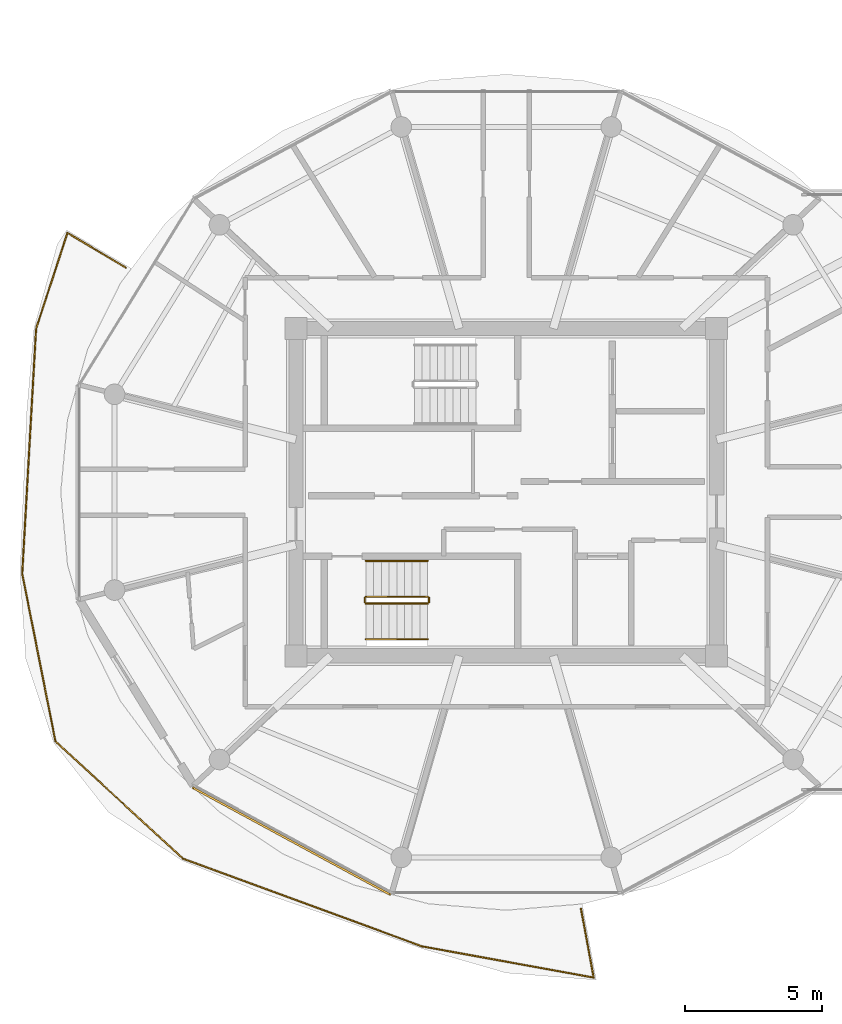
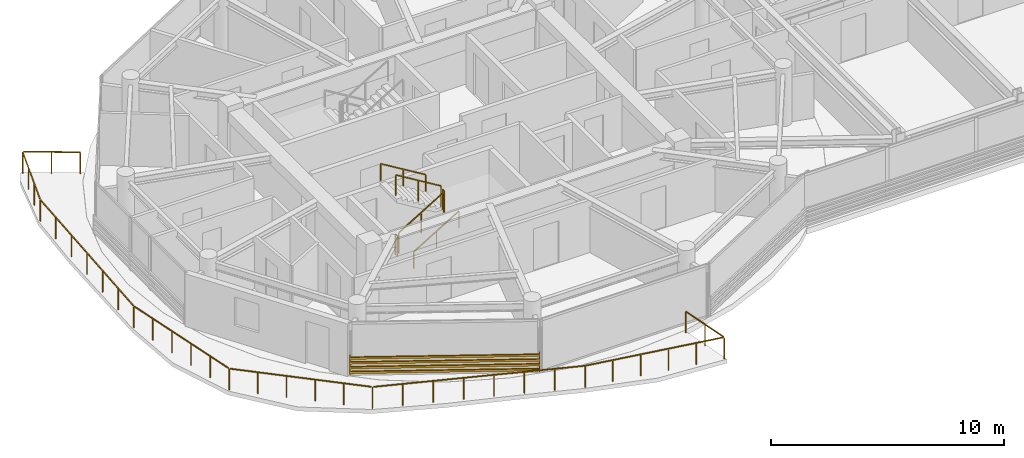
# One storey, part 20 of 23: 8 railings, 1 shading device.
"""IFC4 building model written with IfcOpenShell, lengths in metres."""

from ifc_helpers import new_model, si_unit, direction, frame, origin, origin_2d, place, context, subcontext, project, spatial, rectangle, extrude, source, transform, mapped, material, type_object, type_shapes, element, save


model = new_model("IFC4")

# Units and contexts
model_context = context("Model", 3, precision=1e-05, world=origin(), true_north=direction((0.0, 1.0)))
body_context = subcontext(model_context, "Body", "Model", "MODEL_VIEW")
ifc_project = project(units=[si_unit("LENGTHUNIT", "METRE"), si_unit("AREAUNIT", "SQUARE_METRE"), si_unit("VOLUMEUNIT", "CUBIC_METRE"), si_unit("PLANEANGLEUNIT", "RADIAN"), si_unit("MASSUNIT", "GRAM", prefix="KILO")], contexts=[model_context])

# Site, building, storey
site_placement = place(None, origin())
site = spatial("IfcSite", under=ifc_project, at=site_placement, CompositionType="ELEMENT")
building_placement = place(site_placement, origin())
building = spatial("IfcBuilding", under=site, at=building_placement, Name="Norrkilde Senior Care Towers", CompositionType="ELEMENT")
storey_placement = place(building_placement, frame((0.0, 0.0, 216.949951171875)))
storey = spatial("IfcBuildingStorey", under=building, at=storey_placement, Name="L67", CompositionType="ELEMENT", Elevation=216.949951171875)

# Railings
ifc_material_1 = material(Name="Anodised Aluminium", Category="aluminium")
railing_type_1 = type_object("IfcRailingType", Name="Balcony Swirl Ribbon Guardrail 1150", PredefinedType="GUARDRAIL", material=ifc_material_1)
railing_1_placement = place(storey_placement, frame((-31.057373046875, -16.5185546875, 0.0)))
element("IfcRailing", 1, at=railing_1_placement, inside=storey, type_object=railing_type_1, Name="L67 Perimeter Safety Guard 03", PredefinedType="GUARDRAIL", context=body_context, shape_type="SweptSolid", body=[
    extrude(rectangle(XDim=0.048095703125, YDim=0.048095703125, at=origin_2d()), frame((0.0, 0.0, 1.1259765625), z_axis=(-0.938823509058, 0.34439863362, 0.0), x_axis=(-0.34439863362, -0.938823509058, 0.0)), (0.0, 0.0, 1.0), 9.225830078125),
    extrude(rectangle(XDim=0.048095703125, YDim=0.048095703125, at=origin_2d()), frame((-8.729736328125, 3.218994140625, 1.1259765625), z_axis=(-0.736085420829, 0.676888656459, 0.0), x_axis=(-0.676888656459, -0.736085420829, 0.0)), (0.0, 0.0, 1.0), 6.219970703125),
    extrude(rectangle(XDim=0.048095703125, YDim=0.048095703125, at=origin_2d()), frame((-13.346435546875, 7.4970703125, 1.1259765625), z_axis=(-0.194476993192, 0.980907079758, 0.0), x_axis=(-0.980907079758, -0.194476993192, 0.0)), (0.0, 0.0, 1.0), 6.134765625),
    extrude(rectangle(XDim=0.048095703125, YDim=0.048095703125, at=origin_2d()), frame((-14.545166015625, 13.595703125, 1.1259765625), z_axis=(0.056594635455, 0.998397239198, 0.0), x_axis=(-0.998397239198, 0.056594635455, 0.0)), (0.0, 0.0, 1.0), 8.83935546875),
    extrude(rectangle(XDim=0.048095703125, YDim=0.048095703125, at=origin_2d()), frame((-14.02978515625, 22.50048828125, 1.1259765625), z_axis=(0.310393192293, 0.950608261156, 0.0), x_axis=(-0.950608261156, 0.310393192293, 0.0)), (0.0, 0.0, 1.0), 3.58740234375),
    extrude(rectangle(XDim=0.048095703125, YDim=0.048095703125, at=origin_2d()), frame((-12.868408203125, 25.9287109375, 1.1259765625), z_axis=(0.858725880169, -0.512435227837, 0.0), x_axis=(0.512435227837, 0.858725880169, 0.0)), (0.0, 0.0, 1.0), 2.43505859375),
    extrude(rectangle(XDim=0.0419921875, YDim=0.0419921875, at=origin_2d()), origin(), (0.0, 0.0, 1.0), 1.099853515625),
    extrude(rectangle(XDim=0.0419921875, YDim=0.0419921875, at=origin_2d()), frame((-1.242919921875, 0.455810546875, 0.0)), (0.0, 0.0, 1.0), 1.099853515625),
    extrude(rectangle(XDim=0.0419921875, YDim=0.0419921875, at=origin_2d()), frame((-2.485595703125, 0.911865234375, 0.0)), (0.0, 0.0, 1.0), 1.099853515625),
    extrude(rectangle(XDim=0.0419921875, YDim=0.0419921875, at=origin_2d()), frame((-3.728515625, 1.36767578125, 0.0)), (0.0, 0.0, 1.0), 1.099853515625),
    extrude(rectangle(XDim=0.0419921875, YDim=0.0419921875, at=origin_2d()), frame((-4.97119140625, 1.82373046875, 0.0)), (0.0, 0.0, 1.0), 1.099853515625),
    extrude(rectangle(XDim=0.0419921875, YDim=0.0419921875, at=origin_2d()), frame((-6.214111328125, 2.279541015625, 0.0)), (0.0, 0.0, 1.0), 1.099853515625),
    extrude(rectangle(XDim=0.0419921875, YDim=0.0419921875, at=origin_2d()), frame((-7.456787109375, 2.735595703125, 0.0)), (0.0, 0.0, 1.0), 1.099853515625),
    extrude(rectangle(XDim=0.0419921875, YDim=0.0419921875, at=origin_2d()), frame((-8.69970703125, 3.19140625, 0.0)), (0.0, 0.0, 1.0), 1.099853515625),
    extrude(rectangle(XDim=0.0419921875, YDim=0.0419921875, at=origin_2d()), frame((-9.62744140625, 4.04443359375, 0.0)), (0.0, 0.0, 1.0), 1.099853515625),
    extrude(rectangle(XDim=0.0419921875, YDim=0.0419921875, at=origin_2d()), frame((-10.55517578125, 4.897705078125, 0.0)), (0.0, 0.0, 1.0), 1.099853515625),
    extrude(rectangle(XDim=0.0419921875, YDim=0.0419921875, at=origin_2d()), frame((-11.48291015625, 5.750732421875, 0.0)), (0.0, 0.0, 1.0), 1.099853515625),
    extrude(rectangle(XDim=0.0419921875, YDim=0.0419921875, at=origin_2d()), frame((-12.41064453125, 6.60400390625, 0.0)), (0.0, 0.0, 1.0), 1.099853515625),
    extrude(rectangle(XDim=0.0419921875, YDim=0.0419921875, at=origin_2d()), frame((-13.33837890625, 7.45703125, 0.0)), (0.0, 0.0, 1.0), 1.099853515625),
    extrude(rectangle(XDim=0.0419921875, YDim=0.0419921875, at=origin_2d()), frame((-13.580078125, 8.676513671875, 0.0)), (0.0, 0.0, 1.0), 1.099853515625),
    extrude(rectangle(XDim=0.0419921875, YDim=0.0419921875, at=origin_2d()), frame((-13.822021484375, 9.896240234375, 0.0)), (0.0, 0.0, 1.0), 1.099853515625),
    extrude(rectangle(XDim=0.0419921875, YDim=0.0419921875, at=origin_2d()), frame((-14.063720703125, 11.11572265625, 0.0)), (0.0, 0.0, 1.0), 1.099853515625),
    extrude(rectangle(XDim=0.0419921875, YDim=0.0419921875, at=origin_2d()), frame((-14.3056640625, 12.33544921875, 0.0)), (0.0, 0.0, 1.0), 1.099853515625),
    extrude(rectangle(XDim=0.0419921875, YDim=0.0419921875, at=origin_2d()), frame((-14.54736328125, 13.554931640625, 0.0)), (0.0, 0.0, 1.0), 1.099853515625),
    extrude(rectangle(XDim=0.0419921875, YDim=0.0419921875, at=origin_2d()), frame((-14.463134765625, 15.039306640625, 0.0)), (0.0, 0.0, 1.0), 1.099853515625),
    extrude(rectangle(XDim=0.0419921875, YDim=0.0419921875, at=origin_2d()), frame((-14.379150390625, 16.52392578125, 0.0)), (0.0, 0.0, 1.0), 1.099853515625),
    extrude(rectangle(XDim=0.0419921875, YDim=0.0419921875, at=origin_2d()), frame((-14.294921875, 18.00830078125, 0.0)), (0.0, 0.0, 1.0), 1.099853515625),
    extrude(rectangle(XDim=0.0419921875, YDim=0.0419921875, at=origin_2d()), frame((-14.210693359375, 19.49267578125, 0.0)), (0.0, 0.0, 1.0), 1.099853515625),
    extrude(rectangle(XDim=0.0419921875, YDim=0.0419921875, at=origin_2d()), frame((-14.126708984375, 20.977294921875, 0.0)), (0.0, 0.0, 1.0), 1.099853515625),
    extrude(rectangle(XDim=0.0419921875, YDim=0.0419921875, at=origin_2d()), frame((-14.04248046875, 22.461669921875, 0.0)), (0.0, 0.0, 1.0), 1.099853515625),
    extrude(rectangle(XDim=0.0419921875, YDim=0.0419921875, at=origin_2d()), frame((-13.662841796875, 23.624267578125, 0.0)), (0.0, 0.0, 1.0), 1.099853515625),
    extrude(rectangle(XDim=0.0419921875, YDim=0.0419921875, at=origin_2d()), frame((-13.283203125, 24.787109375, 0.0)), (0.0, 0.0, 1.0), 1.099853515625),
    extrude(rectangle(XDim=0.0419921875, YDim=0.0419921875, at=origin_2d()), frame((-12.903564453125, 25.94970703125, 0.0)), (0.0, 0.0, 1.0), 1.099853515625),
    extrude(rectangle(XDim=0.0419921875, YDim=0.0419921875, at=origin_2d()), frame((-11.84033203125, 25.3154296875, 0.0)), (0.0, 0.0, 1.0), 1.099853515625),
    extrude(rectangle(XDim=0.0419921875, YDim=0.0419921875, at=origin_2d()), frame((-10.77734375, 24.680908203125, 0.0)), (0.0, 0.0, 1.0), 1.099853515625),
])
railing_2_placement = place(storey_placement, frame((-25.28271484375, -15.157470703125, 0.0)))
element("IfcRailing", 2, at=railing_2_placement, inside=storey, type_object=railing_type_1, Name="L67 Perimeter Safety Guard 04", PredefinedType="GUARDRAIL", context=body_context, shape_type="SweptSolid", body=[
    extrude(rectangle(XDim=0.048095703125, YDim=0.048095703125, at=origin_2d()), frame((0.0, 0.0, 1.1259765625), z_axis=(0.181627628066, -0.983367380343, 0.0), x_axis=(0.983367380343, 0.181627628066, 0.0)), (0.0, 0.0, 1.0), 2.496826171875),
    extrude(rectangle(XDim=0.048095703125, YDim=0.048095703125, at=origin_2d()), frame((0.420654296875, -2.48828125, 1.1259765625), z_axis=(-0.983848331549, 0.179004079586, 0.0), x_axis=(-0.179004079586, -0.983848331549, 0.0)), (0.0, 0.0, 1.0), 6.297119140625),
    extrude(rectangle(XDim=0.0419921875, YDim=0.0419921875, at=origin_2d()), origin(), (0.0, 0.0, 1.0), 1.099853515625),
    extrude(rectangle(XDim=0.0419921875, YDim=0.0419921875, at=origin_2d()), frame((0.23046875, -1.247802734375, 0.0)), (0.0, 0.0, 1.0), 1.099853515625),
    extrude(rectangle(XDim=0.0419921875, YDim=0.0419921875, at=origin_2d()), frame((0.4609375, -2.49560546875, 0.0)), (0.0, 0.0, 1.0), 1.099853515625),
    extrude(rectangle(XDim=0.0419921875, YDim=0.0419921875, at=origin_2d()), frame((-0.7861328125, -2.268798828125, 0.0)), (0.0, 0.0, 1.0), 1.099853515625),
    extrude(rectangle(XDim=0.0419921875, YDim=0.0419921875, at=origin_2d()), frame((-2.033203125, -2.041748046875, 0.0)), (0.0, 0.0, 1.0), 1.099853515625),
    extrude(rectangle(XDim=0.0419921875, YDim=0.0419921875, at=origin_2d()), frame((-3.280517578125, -1.81494140625, 0.0)), (0.0, 0.0, 1.0), 1.099853515625),
    extrude(rectangle(XDim=0.0419921875, YDim=0.0419921875, at=origin_2d()), frame((-4.527587890625, -1.587890625, 0.0)), (0.0, 0.0, 1.0), 1.099853515625),
    extrude(rectangle(XDim=0.0419921875, YDim=0.0419921875, at=origin_2d()), frame((-5.774658203125, -1.361083984375, 0.0)), (0.0, 0.0, 1.0), 1.099853515625),
])
ifc_material_2 = material(Name="Stainless Steel", Category="steel")
railing_type_2 = type_object("IfcRailingType", Name="Stair and Terrace Guardrail 1100", PredefinedType="GUARDRAIL", material=ifc_material_2)
railing_3_placement = place(storey_placement, frame((-33.10009765625, -4.050048828125, 0.16943359375)))
element("IfcRailing", 3, at=railing_3_placement, inside=storey, type_object=railing_type_2, Name="L67 ST-W2 stair guard 1", PredefinedType="GUARDRAIL", context=body_context, shape_type="SweptSolid", body=[
    extrude(rectangle(XDim=0.048095703125, YDim=0.048095703125, at=origin_2d()), frame((0.0, 0.0, 1.076171875), z_axis=(0.855512035549, 0.0, 0.517782924622), x_axis=(0.0, 1.0, 0.0)), (0.0, 0.0, 1.0), 2.618408203125),
    extrude(rectangle(XDim=0.0419921875, YDim=0.0419921875, at=origin_2d()), origin(), (0.0, 0.0, 1.0), 1.050048828125),
    extrude(rectangle(XDim=0.0419921875, YDim=0.0419921875, at=origin_2d()), frame((1.1201171875, 0.0, 0.677734375)), (0.0, 0.0, 1.0), 1.050048828125),
    extrude(rectangle(XDim=0.0419921875, YDim=0.0419921875, at=origin_2d()), frame((2.239990234375, 0.0, 1.355712890625)), (0.0, 0.0, 1.0), 1.050048828125),
])
railing_4_placement = place(storey_placement, frame((-30.81005859375, -4.0, 1.525146484375)))
element("IfcRailing", 4, at=railing_4_placement, inside=storey, type_object=railing_type_2, Name="L67 ST-W2 stair guard 2", PredefinedType="GUARDRAIL", context=body_context, shape_type="SweptSolid", body=[
    extrude(rectangle(XDim=0.048095703125, YDim=0.048095703125, at=origin_2d()), frame((0.0, 0.0, 1.076171875), z_axis=(0.0, 1.0, 0.0), x_axis=(-1.0, 0.0, 0.0)), (0.0, 0.0, 1.0), 0.14990234375),
    extrude(rectangle(XDim=0.0419921875, YDim=0.0419921875, at=origin_2d()), origin(), (0.0, 0.0, 1.0), 1.050048828125),
    extrude(rectangle(XDim=0.0419921875, YDim=0.0419921875, at=origin_2d()), frame((0.0, 0.14990234375, 0.0)), (0.0, 0.0, 1.0), 1.050048828125),
])
railing_5_placement = place(storey_placement, frame((-30.860107421875, -3.800048828125, 1.694580078125)))
element("IfcRailing", 5, at=railing_5_placement, inside=storey, type_object=railing_type_2, Name="L67 ST-W2 stair guard 3", PredefinedType="GUARDRAIL", context=body_context, shape_type="SweptSolid", body=[
    extrude(rectangle(XDim=0.048095703125, YDim=0.048095703125, at=origin_2d()), frame((0.0, 0.0, 1.076171875), z_axis=(-0.855553338991, 0.0, 0.51771467445), x_axis=(0.0, -1.0, 0.0)), (0.0, 0.0, 1.0), 2.6181640625),
    extrude(rectangle(XDim=0.0419921875, YDim=0.0419921875, at=origin_2d()), origin(), (0.0, 0.0, 1.0), 1.050048828125),
    extrude(rectangle(XDim=0.0419921875, YDim=0.0419921875, at=origin_2d()), frame((-1.1201171875, 0.0, 0.677734375)), (0.0, 0.0, 1.0), 1.050048828125),
    extrude(rectangle(XDim=0.0419921875, YDim=0.0419921875, at=origin_2d()), frame((-2.239990234375, 0.0, 1.35546875)), (0.0, 0.0, 1.0), 1.050048828125),
])
railing_6_placement = place(storey_placement, frame((-33.14990234375, -4.0, 0.0)))
element("IfcRailing", 6, at=railing_6_placement, inside=storey, type_object=railing_type_2, Name="L67 ST-W2 stair guard 4", PredefinedType="GUARDRAIL", context=body_context, shape_type="SweptSolid", body=[
    extrude(rectangle(XDim=0.048095703125, YDim=0.048095703125, at=origin_2d()), frame((0.0, 0.0, 1.076171875), z_axis=(0.0, 1.0, 0.0), x_axis=(-1.0, 0.0, 0.0)), (0.0, 0.0, 1.0), 0.14990234375),
    extrude(rectangle(XDim=0.0419921875, YDim=0.0419921875, at=origin_2d()), origin(), (0.0, 0.0, 1.0), 1.050048828125),
    extrude(rectangle(XDim=0.0419921875, YDim=0.0419921875, at=origin_2d()), frame((0.0, 0.14990234375, 0.0)), (0.0, 0.0, 1.0), 1.050048828125),
])
ifc_material_3 = material(Name="Nordic Ash Timber", Category="wood")
railing_type_3 = type_object("IfcRailingType", Name="Wall and Stair Handrail 900", PredefinedType="HANDRAIL", material=ifc_material_3)
railing_7_placement = place(storey_placement, frame((-33.10009765625, -5.35009765625, 0.16943359375)))
element("IfcRailing", 7, at=railing_7_placement, inside=storey, type_object=railing_type_3, Name="L67 ST-W2 stair handrail 1", PredefinedType="HANDRAIL", context=body_context, shape_type="SweptSolid", body=[
    extrude(rectangle(XDim=0.048095703125, YDim=0.048095703125, at=origin_2d()), frame((0.0, 0.0, 0.8759765625), z_axis=(0.855512035549, 0.0, 0.517782924622), x_axis=(0.0, 1.0, 0.0)), (0.0, 0.0, 1.0), 2.618408203125),
    extrude(rectangle(XDim=0.0419921875, YDim=0.0419921875, at=origin_2d()), origin(), (0.0, 0.0, 1.0), 0.849853515625),
    extrude(rectangle(XDim=0.0419921875, YDim=0.0419921875, at=origin_2d()), frame((1.1201171875, 0.0, 0.677734375)), (0.0, 0.0, 1.0), 0.849853515625),
    extrude(rectangle(XDim=0.0419921875, YDim=0.0419921875, at=origin_2d()), frame((2.239990234375, 0.0, 1.355712890625)), (0.0, 0.0, 1.0), 0.849853515625),
])
railing_8_placement = place(storey_placement, frame((-30.860107421875, -2.5, 1.694580078125)))
element("IfcRailing", 8, at=railing_8_placement, inside=storey, type_object=railing_type_3, Name="L67 ST-W2 stair handrail 2", PredefinedType="HANDRAIL", context=body_context, shape_type="SweptSolid", body=[
    extrude(rectangle(XDim=0.048095703125, YDim=0.048095703125, at=origin_2d()), frame((0.0, 0.0, 0.8759765625), z_axis=(-0.855553338991, 0.0, 0.51771467445), x_axis=(0.0, -1.0, 0.0)), (0.0, 0.0, 1.0), 2.6181640625),
    extrude(rectangle(XDim=0.0419921875, YDim=0.0419921875, at=origin_2d()), origin(), (0.0, 0.0, 1.0), 0.849853515625),
    extrude(rectangle(XDim=0.0419921875, YDim=0.0419921875, at=origin_2d()), frame((-1.1201171875, 0.0, 0.677734375)), (0.0, 0.0, 1.0), 0.849853515625),
    extrude(rectangle(XDim=0.0419921875, YDim=0.0419921875, at=origin_2d()), frame((-2.239990234375, 0.0, 1.35546875)), (0.0, 0.0, 1.0), 0.849853515625),
])

# Shading device
ifc_material_4 = material(Name="Architectural Terracotta", Category="masonry")
shading_device_type = type_object("IfcShadingDeviceType", Name="Horizontal Terracotta Baguette Rack", PredefinedType="USERDEFINED", material=ifc_material_4)
shared_shape = source(origin(), body_context, "Body", "SweptSolid", [
    extrude(rectangle(XDim=0.070068359375, YDim=0.110107421875, at=origin_2d()), frame((0.0, 0.090087890625, 0.125), z_axis=(1.0, 0.0, 0.0), x_axis=(0.0, 1.0, 0.0)), (0.0, 0.0, 1.0), 8.197265625),
    extrude(rectangle(XDim=0.070068359375, YDim=0.110107421875, at=origin_2d()), frame((0.0, 0.090087890625, 0.375), z_axis=(1.0, 0.0, 0.0), x_axis=(0.0, 1.0, 0.0)), (0.0, 0.0, 1.0), 8.197265625),
    extrude(rectangle(XDim=0.070068359375, YDim=0.110107421875, at=origin_2d()), frame((0.0, 0.090087890625, 0.625), z_axis=(1.0, 0.0, 0.0), x_axis=(0.0, 1.0, 0.0)), (0.0, 0.0, 1.0), 8.197265625),
    extrude(rectangle(XDim=0.070068359375, YDim=0.110107421875, at=origin_2d()), frame((0.0, 0.090087890625, 0.875), z_axis=(1.0, 0.0, 0.0), x_axis=(0.0, 1.0, 0.0)), (0.0, 0.0, 1.0), 8.197265625),
    extrude(rectangle(XDim=0.050048828125, YDim=0.1552734375, at=origin_2d()), frame((0.02490234375, 0.047607421875, 0.0)), (0.0, 0.0, 1.0), 1.0),
    extrude(rectangle(XDim=0.050048828125, YDim=0.1552734375, at=origin_2d()), frame((8.17236328125, 0.047607421875, 0.0)), (0.0, 0.0, 1.0), 1.0),
])
type_shapes(shading_device_type, [shared_shape])
shading_device_placement = place(storey_placement, frame((-32.161865234375, -14.566162109375, 0.080078125), z_axis=(0.0, 0.0, 1.0), x_axis=(-0.879378127234, 0.476143674053, 0.0)))
element("IfcShadingDevice", 9, at=shading_device_placement, inside=storey, type_object=shading_device_type, Name="L67 Drum W Terracotta Baguette Screen 07", ObjectType="BAGUETTE", PredefinedType="USERDEFINED", context=body_context, shape_type="MappedRepresentation", body=[
    mapped(shared_shape, transform((0.0, 0.0, 0.0), x_axis=(1.0, 0.0, 0.0), y_axis=(0.0, 1.0, 0.0), z_axis=(0.0, 0.0, 1.0), scale=1.0)),
])

save(model, "model.ifc")
